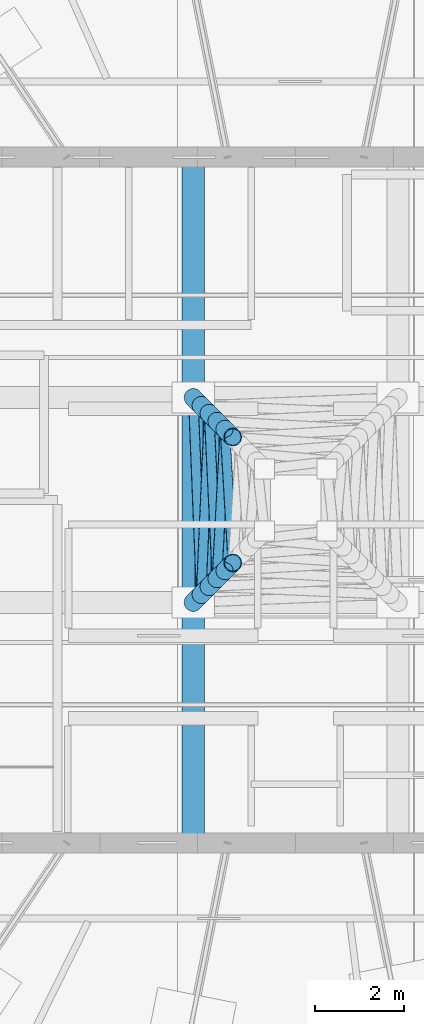
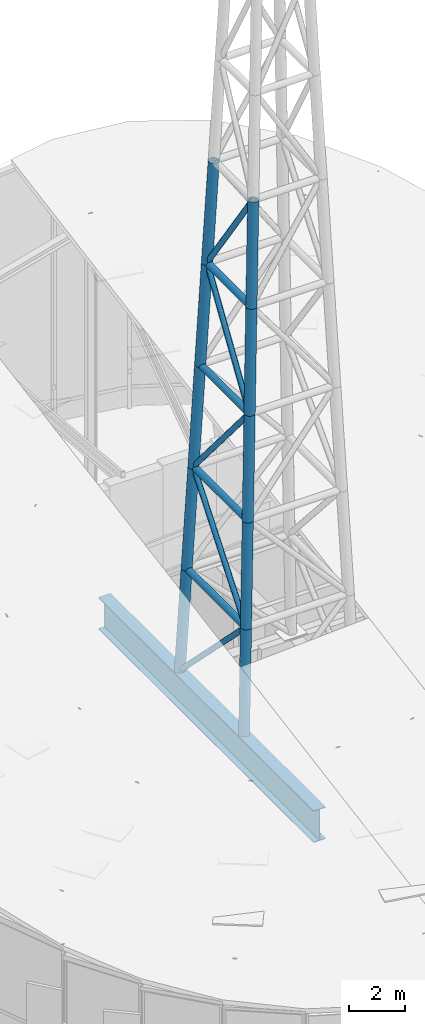
# One storey, part 11 of 36: 19 members, 1 beam.
"""IFC4 building model written with IfcOpenShell, lengths in metres."""

from ifc_helpers import new_model, si_unit, direction, frame, origin, origin_2d, place, context, subcontext, project, spatial, hollow_circle, i_section, extrude, source, transform, mapped, material, material_profile, profile_set, type_object, element, save


model = new_model("IFC4")

# Units and contexts
model_context = context("Model", 3, precision=1e-05, world=origin(), true_north=direction((0.0, 1.0)))
body_context = subcontext(model_context, "Body", "Model", "MODEL_VIEW")
ifc_project = project(units=[si_unit("LENGTHUNIT", "METRE"), si_unit("AREAUNIT", "SQUARE_METRE"), si_unit("VOLUMEUNIT", "CUBIC_METRE"), si_unit("PLANEANGLEUNIT", "RADIAN"), si_unit("MASSUNIT", "GRAM", prefix="KILO"), si_unit("THERMODYNAMICTEMPERATUREUNIT", "KELVIN")], contexts=[model_context])

# Site, building, storey
site_placement = place(None, origin())
site = spatial("IfcSite", under=ifc_project, at=site_placement, CompositionType="ELEMENT")
building_placement = place(site_placement, origin())
building = spatial("IfcBuilding", under=site, at=building_placement, Name="Kethvar Cultural Tower", CompositionType="ELEMENT")
storey_placement = place(building_placement, frame((0.0, 0.0, 324.300048828125)))
storey = spatial("IfcBuildingStorey", under=building, at=storey_placement, Name="L86", CompositionType="ELEMENT", Elevation=324.300048828125)

# Beam
ifc_material_1 = material(Name="Steel S460M", Category="steel")
ifc_material_profile_1 = material_profile(ifc_material_1, i_section(OverallWidth=0.5, OverallDepth=1.39990234375, WebThickness=0.02197265625, FlangeThickness=0.035888671875, FilletRadius=0.01806640625, at=origin_2d()), Name="Steel S460M — PG1400x500x36x22")
ifc_profile_set_1 = profile_set([ifc_material_profile_1], Name="Steel S460M — PG1400x500x36x22")
beam_type = type_object("IfcBeamType", Name="BM-MG1400", PredefinedType="BEAM", material=ifc_profile_set_1)
shared_shape_1 = source(origin(), body_context, "Body", "SweptSolid", [
    extrude(i_section(OverallWidth=0.5, OverallDepth=1.39990234375, WebThickness=0.02197265625, FlangeThickness=0.035888671875, FilletRadius=0.01806640625, at=origin_2d()), origin(), (0.0, 0.0, 1.0), 15.39990234375),
])
beam_placement = place(storey_placement, frame((44.5, 20.10009765625, 3.47998046875), z_axis=(0.0, 1.0, 0.0), x_axis=(-1.0, 0.0, 0.0)))
element("IfcBeam", 1, at=beam_placement, inside=storey, type_object=beam_type, Name="Crown Mast Grillage Girder West", PredefinedType="BEAM", context=body_context, shape_type="MappedRepresentation", body=[
    mapped(shared_shape_1, transform((0.0, 0.0, 0.0), scale=1.0)),
])

# Members
ifc_material_profile_2 = material_profile(ifc_material_1, hollow_circle(Radius=0.203125, WallThickness=0.02001953125, at=origin_2d()), Name="Steel S460M — CHS406x20")
ifc_profile_set_2 = profile_set([ifc_material_profile_2], Name="Steel S460M — CHS406x20")
member_type_1 = type_object("IfcMemberType", Name="MB-MAST-LEG", PredefinedType="CHORD", material=ifc_profile_set_2)
shared_shape_2 = source(origin(), body_context, "Body", "SweptSolid", [
    extrude(hollow_circle(Radius=0.203125, WallThickness=0.02001953125, at=origin_2d()), origin(), (0.0, 0.0, 1.0), 4.507080078125),
])
for number, where, z_axis, x_axis, name in (
    (2, (44.5, 25.5, 4.179931640625), (0.039435057954, 0.039435057954, 0.998443665115), (-0.707106781187, 0.707106781187, 0.0), "Broadcast Mast Leg T1-L1"),
    (3, (44.5, 30.10009765625, 4.179931640625), (0.039434973657, -0.039489142576, 0.998441530823), (0.707591931465, 0.706621297815, 0.0), "Broadcast Mast Leg T1-L4"),
    (4, (44.677734375, 25.677734375, 8.679931640625), (0.039489058164, 0.039489058164, 0.998439396544), (-0.707106781187, 0.707106781187, 0.0), "Broadcast Mast Leg T2-L1"),
    (5, (44.677734375, 29.922119140625, 8.679931640625), (0.039489142576, -0.039434973657, 0.998441530823), (0.706621297815, 0.707591931465, 0.0), "Broadcast Mast Leg T2-L4"),
    (6, (44.855712890625, 25.855712890625, 13.179931640625), (0.039381057051, 0.039381057051, 0.998447927882), (-0.707106781187, 0.707106781187, 0.0), "Broadcast Mast Leg T3-L1"),
    (7, (44.855712890625, 29.744384765625, 13.179931640625), (0.039380972984, -0.039435142136, 0.998445796491), (0.707592598109, 0.706620630255, 0.0), "Broadcast Mast Leg T3-L4"),
    (8, (45.033203125, 26.033203125, 17.679931640625), (0.039489058164, 0.039489058164, 0.998439396544), (-0.707106781187, 0.707106781187, 0.0), "Broadcast Mast Leg T4-L1"),
    (9, (45.033203125, 29.566650390625, 17.679931640625), (0.039489142576, -0.039434973657, 0.998441530823), (0.706621297815, 0.707591931465, 0.0), "Broadcast Mast Leg T4-L4"),
    (10, (45.211181640625, 26.211181640625, 22.179931640625), (0.039435057954, 0.039435057954, 0.998443665115), (-0.707106781187, 0.707106781187, 0.0), "Broadcast Mast Leg T5-L1"),
    (11, (45.211181640625, 29.388916015625, 22.179931640625), (0.039435057954, -0.039435057954, 0.998443665115), (0.707106781187, 0.707106781187, 0.0), "Broadcast Mast Leg T5-L4"),
):
    element("IfcMember", number, at=place(storey_placement, frame(where, z_axis=z_axis, x_axis=x_axis)), inside=storey, type_object=member_type_1, Name=name, PredefinedType="CHORD", context=body_context, shape_type="MappedRepresentation", body=[
        mapped(shared_shape_2, transform((0.0, 0.0, 0.0), scale=1.0)),
    ])
ifc_material_2 = material(Name="Steel S355J2", Category="steel")
ifc_material_profile_3 = material_profile(ifc_material_2, hollow_circle(Radius=0.136474609375, WallThickness=0.012451171875, at=origin_2d()), Name="Steel S355J2 — CHS273x12.5")
ifc_profile_set_3 = profile_set([ifc_material_profile_3], Name="Steel S355J2 — CHS273x12.5")
member_type_2 = type_object("IfcMemberType", Name="MB-MAST-STR", PredefinedType="STRUT", material=ifc_profile_set_3)
shared_shape_3 = source(origin(), body_context, "Body", "SweptSolid", [
    extrude(hollow_circle(Radius=0.136474609375, WallThickness=0.012451171875, at=origin_2d()), origin(), (0.0, 0.0, 1.0), 4.244384765625),
])
member_1_placement = place(storey_placement, frame((44.677734375, 29.922119140625, 8.679931640625), z_axis=(0.0, -1.0, 0.0), x_axis=(1.0, 0.0, 0.0)))
element("IfcMember", 12, at=member_1_placement, inside=storey, type_object=member_type_2, Name="Broadcast Mast Ring Strut T1-S4", PredefinedType="STRUT", context=body_context, shape_type="MappedRepresentation", body=[
    mapped(shared_shape_3, transform((0.0, 0.0, 0.0), scale=1.0)),
])
ifc_material_profile_4 = material_profile(ifc_material_2, hollow_circle(Radius=0.109619140625, WallThickness=0.010009765625, at=origin_2d()), Name="Steel S355J2 — CHS219x10")
ifc_profile_set_4 = profile_set([ifc_material_profile_4], Name="Steel S355J2 — CHS219x10")
member_type_3 = type_object("IfcMemberType", Name="MB-MAST-BR", PredefinedType="BRACE", material=ifc_profile_set_4)
shared_shape_4 = source(origin(), body_context, "Body", "SweptSolid", [
    extrude(hollow_circle(Radius=0.109619140625, WallThickness=0.010009765625, at=origin_2d()), origin(), (0.0, 0.0, 1.0), 6.311767578125),
])
member_2_placement = place(storey_placement, frame((44.5, 30.10009765625, 4.179931640625), z_axis=(0.028159039413, -0.700649505394, 0.712949745137), x_axis=(0.999193362679, 0.040157489678, 0.0)))
element("IfcMember", 13, at=member_2_placement, inside=storey, type_object=member_type_3, Name="Broadcast Mast Face Brace T1-D4", PredefinedType="BRACE", context=body_context, shape_type="MappedRepresentation", body=[
    mapped(shared_shape_4, transform((0.0, 0.0, 0.0), scale=1.0)),
])
shared_shape_5 = source(origin(), body_context, "Body", "SweptSolid", [
    extrude(hollow_circle(Radius=0.136474609375, WallThickness=0.012451171875, at=origin_2d()), origin(), (0.0, 0.0, 1.0), 3.888671875),
])
member_3_placement = place(storey_placement, frame((44.855712890625, 29.744384765625, 13.179931640625), z_axis=(0.0, -1.0, 0.0), x_axis=(1.0, 0.0, 0.0)))
element("IfcMember", 14, at=member_3_placement, inside=storey, type_object=member_type_2, Name="Broadcast Mast Ring Strut T2-S4", PredefinedType="STRUT", context=body_context, shape_type="MappedRepresentation", body=[
    mapped(shared_shape_5, transform((0.0, 0.0, 0.0), scale=1.0)),
])
shared_shape_6 = source(origin(), body_context, "Body", "SweptSolid", [
    extrude(hollow_circle(Radius=0.109619140625, WallThickness=0.010009765625, at=origin_2d()), origin(), (0.0, 0.0, 1.0), 6.06787109375),
])
member_4_placement = place(storey_placement, frame((44.677734375, 25.677734375, 8.679931640625), z_axis=(0.029331190347, 0.670191546784, 0.741608368273), x_axis=(-0.999043669189, 0.043723529738, 0.0)))
element("IfcMember", 15, at=member_4_placement, inside=storey, type_object=member_type_3, Name="Broadcast Mast Face Brace T2-D4", PredefinedType="BRACE", context=body_context, shape_type="MappedRepresentation", body=[
    mapped(shared_shape_6, transform((0.0, 0.0, 0.0), scale=1.0)),
])
shared_shape_7 = source(origin(), body_context, "Body", "SweptSolid", [
    extrude(hollow_circle(Radius=0.136474609375, WallThickness=0.012451171875, at=origin_2d()), origin(), (0.0, 0.0, 1.0), 3.533447265625),
])
member_5_placement = place(storey_placement, frame((45.033203125, 29.566650390625, 17.679931640625), z_axis=(0.0, -1.0, 0.0), x_axis=(1.0, 0.0, 0.0)))
element("IfcMember", 16, at=member_5_placement, inside=storey, type_object=member_type_2, Name="Broadcast Mast Ring Strut T3-S4", PredefinedType="STRUT", context=body_context, shape_type="MappedRepresentation", body=[
    mapped(shared_shape_7, transform((0.0, 0.0, 0.0), scale=1.0)),
])
shared_shape_8 = source(origin(), body_context, "Body", "SweptSolid", [
    extrude(hollow_circle(Radius=0.109619140625, WallThickness=0.010009765625, at=origin_2d()), origin(), (0.0, 0.0, 1.0), 5.835693359375),
])
member_6_placement = place(storey_placement, frame((44.855712890625, 29.744384765625, 13.179931640625), z_axis=(0.03041501432, -0.635954102728, 0.77112729567), x_axis=(0.998858304566, 0.047771198436, 0.0)))
element("IfcMember", 17, at=member_6_placement, inside=storey, type_object=member_type_3, Name="Broadcast Mast Face Brace T3-D4", PredefinedType="BRACE", context=body_context, shape_type="MappedRepresentation", body=[
    mapped(shared_shape_8, transform((0.0, 0.0, 0.0), scale=1.0)),
])
shared_shape_9 = source(origin(), body_context, "Body", "SweptSolid", [
    extrude(hollow_circle(Radius=0.136474609375, WallThickness=0.012451171875, at=origin_2d()), origin(), (0.0, 0.0, 1.0), 3.177734375),
])
member_7_placement = place(storey_placement, frame((45.211181640625, 29.388916015625, 22.179931640625), z_axis=(0.0, -1.0, 0.0), x_axis=(1.0, 0.0, 0.0)))
element("IfcMember", 18, at=member_7_placement, inside=storey, type_object=member_type_2, Name="Broadcast Mast Ring Strut T4-S4", PredefinedType="STRUT", context=body_context, shape_type="MappedRepresentation", body=[
    mapped(shared_shape_9, transform((0.0, 0.0, 0.0), scale=1.0)),
])
shared_shape_10 = source(origin(), body_context, "Body", "SweptSolid", [
    extrude(hollow_circle(Radius=0.109619140625, WallThickness=0.010009765625, at=origin_2d()), origin(), (0.0, 0.0, 1.0), 5.6162109375),
])
member_8_placement = place(storey_placement, frame((45.033203125, 26.033203125, 17.679931640625), z_axis=(0.031689809267, 0.597498530016, 0.80124357259), x_axis=(-0.998596473853, 0.052963028697, 0.0)))
element("IfcMember", 19, at=member_8_placement, inside=storey, type_object=member_type_3, Name="Broadcast Mast Face Brace T4-D4", PredefinedType="BRACE", context=body_context, shape_type="MappedRepresentation", body=[
    mapped(shared_shape_10, transform((0.0, 0.0, 0.0), scale=1.0)),
])
shared_shape_11 = source(origin(), body_context, "Body", "SweptSolid", [
    extrude(hollow_circle(Radius=0.109619140625, WallThickness=0.010009765625, at=origin_2d()), origin(), (0.0, 0.0, 1.0), 5.4111328125),
])
member_9_placement = place(storey_placement, frame((45.211181640625, 29.388916015625, 22.179931640625), z_axis=(0.032845366127, -0.554400905184, 0.831601357776), x_axis=(0.998249633752, 0.059141091583, 0.0)))
element("IfcMember", 20, at=member_9_placement, inside=storey, type_object=member_type_3, Name="Broadcast Mast Face Brace T5-D4", PredefinedType="BRACE", context=body_context, shape_type="MappedRepresentation", body=[
    mapped(shared_shape_11, transform((0.0, 0.0, 0.0), scale=1.0)),
])

save(model, "model.ifc")
